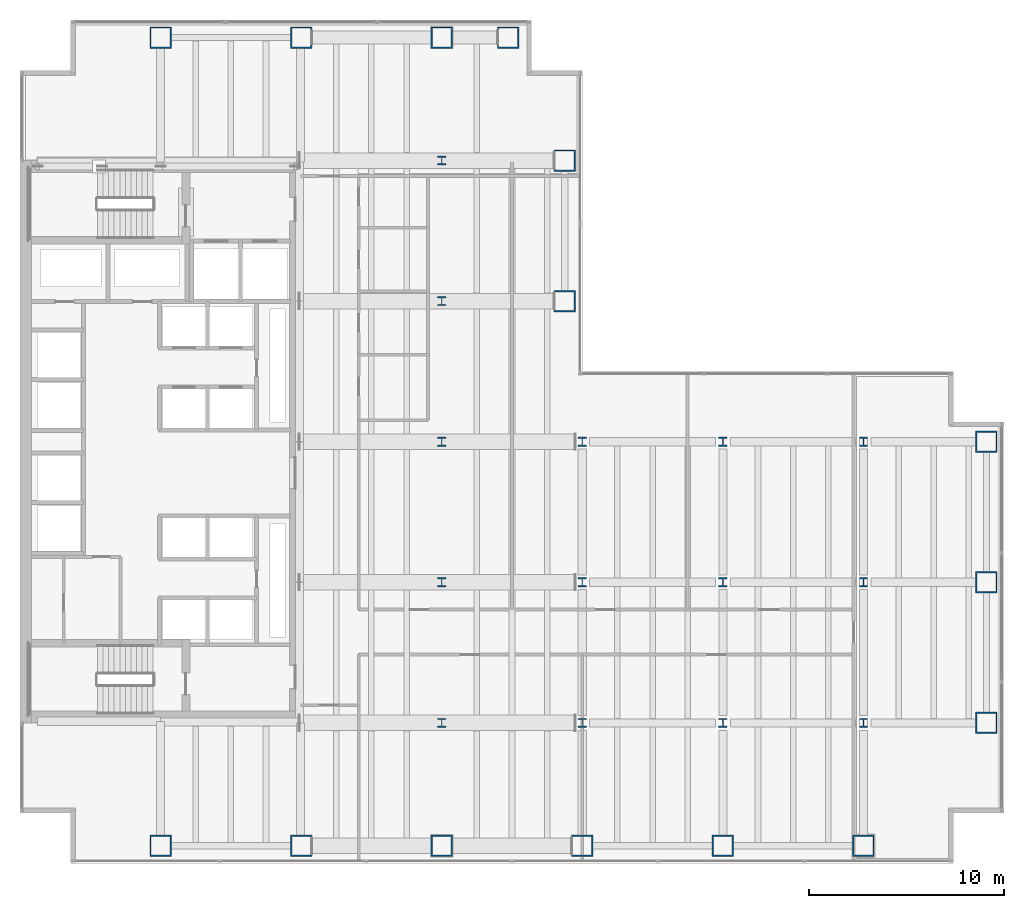
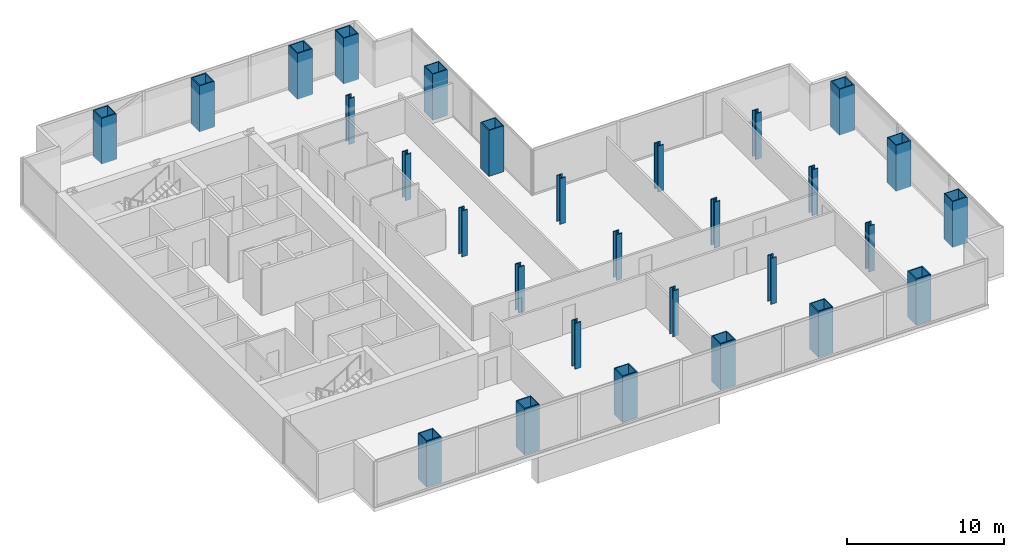
# One storey, part 1 of 24: 29 columns.
"""IFC4 building model written with IfcOpenShell, lengths in metres."""

from ifc_helpers import new_model, si_unit, direction, frame, origin, origin_2d, place, context, subcontext, project, spatial, hollow_rectangle, i_section, extrude, material, material_profile, profile_set, type_object, element, save


model = new_model("IFC4")

# Units and contexts
model_context = context("Model", 3, precision=1e-05, world=origin(), true_north=direction((0.0, 1.0)))
body_context = subcontext(model_context, "Body", "Model", "MODEL_VIEW")
ifc_project = project(units=[si_unit("LENGTHUNIT", "METRE"), si_unit("AREAUNIT", "SQUARE_METRE"), si_unit("VOLUMEUNIT", "CUBIC_METRE"), si_unit("PLANEANGLEUNIT", "RADIAN"), si_unit("MASSUNIT", "GRAM", prefix="KILO")], contexts=[model_context])

# Site, building, storey
site_placement = place(None, origin())
site = spatial("IfcSite", under=ifc_project, at=site_placement, CompositionType="ELEMENT")
building_placement = place(site_placement, origin())
building = spatial("IfcBuilding", under=site, at=building_placement, Name="Cobrela Telecom Tower", CompositionType="ELEMENT")
storey_placement = place(building_placement, frame((0.0, 0.0, 31.14990234375)))
storey = spatial("IfcBuildingStorey", under=building, at=storey_placement, Name="L07", CompositionType="ELEMENT", Elevation=31.14990234375)

# Columns
ifc_material_1 = material(Name="Steel ASTM A992 Grade 50", Category="steel")
ifc_material_profile_1 = material_profile(ifc_material_1, i_section(OverallWidth=0.422119140625, OverallDepth=0.465087890625, WebThickness=0.044921875, FlangeThickness=0.072509765625, FilletRadius=0.01806640625, at=origin_2d()), Name="W14X398")
ifc_profile_set_1 = profile_set([ifc_material_profile_1], Name="Steel ASTM A992 Grade 50")
column_type_1 = type_object("IfcColumnType", Name="COL-INT-04", PredefinedType="COLUMN", material=ifc_profile_set_1)
for number, where, z_axis, x_axis, name in (
    (1, (21.60009765625, 7.199951171875, 0.0), (0.0, 0.0, 1.0), (1.0, 0.0, 0.0), "L07 Interior Column 06"),
    (2, (21.60009765625, 14.39990234375, 0.0), (0.0, 0.0, 1.0), (1.0, 0.0, 0.0), "L07 Interior Column 07"),
    (3, (21.60009765625, 21.60009765625, 0.0), (0.0, 0.0, 1.0), (1.0, 0.0, 0.0), "L07 Interior Column 08"),
    (4, (21.60009765625, 28.800048828125, 0.0), (0.0, 0.0, 1.0), (1.0, 0.0, 0.0), "L07 Interior Column 09"),
    (5, (21.60009765625, 36.0, 0.0), (0.0, 0.0, 1.0), (1.0, 0.0, 0.0), "L07 Interior Column 10"),
    (6, (28.800048828125, 7.199951171875, 0.0), (0.0, 0.0, 1.0), (1.0, 0.0, 0.0), "L07 Interior Column 16"),
    (7, (28.800048828125, 14.39990234375, 0.0), (0.0, 0.0, 1.0), (1.0, 0.0, 0.0), "L07 Interior Column 17"),
    (8, (28.800048828125, 21.60009765625, 0.0), (0.0, 0.0, 1.0), (1.0, 0.0, 0.0), "L07 Interior Column 18"),
    (9, (36.0, 7.199951171875, 0.0), (0.0, 0.0, 1.0), (1.0, 0.0, 0.0), "L07 Interior Column 20"),
    (10, (36.0, 14.39990234375, 0.0), (0.0, 0.0, 1.0), (1.0, 0.0, 0.0), "L07 Interior Column 21"),
    (11, (36.0, 21.60009765625, 0.0), (0.0, 0.0, 1.0), (1.0, 0.0, 0.0), "L07 Interior Column 22"),
    (12, (43.199951171875, 7.199951171875, 0.0), (0.0, 0.0, 1.0), (1.0, 0.0, 0.0), "L07 Interior Column 24"),
    (13, (43.199951171875, 14.39990234375, 0.0), (0.0, 0.0, 1.0), (1.0, 0.0, 0.0), "L07 Interior Column 25"),
    (14, (43.199951171875, 21.60009765625, 0.0), (0.0, 0.0, 1.0), (1.0, 0.0, 0.0), "L07 Interior Column 26"),
):
    element("IfcColumn", number, at=place(storey_placement, frame(where, z_axis=z_axis, x_axis=x_axis)), inside=storey, type_object=column_type_1, Name=name, PredefinedType="COLUMN", context=body_context, shape_type="SweptSolid", body=[
        extrude(i_section(OverallWidth=0.422119140625, OverallDepth=0.465087890625, WebThickness=0.044921875, FlangeThickness=0.072509765625, FilletRadius=0.01806640625, at=origin_2d()), origin(), (0.0, 0.0, 1.0), 3.570068359375),
    ])
ifc_material_2 = material(Name="Steel ASTM A572 Grade 50", Category="steel")
ifc_material_profile_2 = material_profile(ifc_material_2, hollow_rectangle(XDim=1.10009765625, YDim=1.10009765625, WallThickness=0.070068359375, at=origin_2d()), Name="BOX 1100x1100x70")
ifc_profile_set_2 = profile_set([ifc_material_profile_2], Name="Steel ASTM A572 Grade 50")
column_type_2 = type_object("IfcColumnType", Name="COL-MEGA-02", PredefinedType="COLUMN", material=ifc_profile_set_2)
for number, where, z_axis, x_axis, name in (
    (15, (7.199951171875, 0.89990234375, 0.0), (0.0, 0.0, 1.0), (1.0, 0.0, 0.0), "L07 Perimeter Mega-Column 01"),
    (16, (7.199951171875, 42.300048828125, 0.0), (0.0, 0.0, 1.0), (1.0, 0.0, 0.0), "L07 Perimeter Mega-Column 02"),
    (17, (14.39990234375, 0.89990234375, 0.0), (0.0, 0.0, 1.0), (1.0, 0.0, 0.0), "L07 Perimeter Mega-Column 03"),
    (18, (14.39990234375, 42.300048828125, 0.0), (0.0, 0.0, 1.0), (1.0, 0.0, 0.0), "L07 Perimeter Mega-Column 04"),
    (19, (21.60009765625, 0.89990234375, 0.0), (0.0, 0.0, 1.0), (1.0, 0.0, 0.0), "L07 Perimeter Mega-Column 05"),
    (20, (21.60009765625, 42.300048828125, 0.0), (0.0, 0.0, 1.0), (1.0, 0.0, 0.0), "L07 Perimeter Mega-Column 11"),
    (21, (25.0, 42.300048828125, 0.0), (0.0, 0.0, 1.0), (1.0, 0.0, 0.0), "L07 Perimeter Mega-Column 12"),
    (22, (27.89990234375, 28.800048828125, 0.0), (0.0, 0.0, 1.0), (1.0, 0.0, 0.0), "L07 Perimeter Mega-Column 13"),
    (23, (27.89990234375, 36.0, 0.0), (0.0, 0.0, 1.0), (1.0, 0.0, 0.0), "L07 Perimeter Mega-Column 14"),
    (24, (28.800048828125, 0.89990234375, 0.0), (0.0, 0.0, 1.0), (1.0, 0.0, 0.0), "L07 Perimeter Mega-Column 15"),
    (25, (36.0, 0.89990234375, 0.0), (0.0, 0.0, 1.0), (1.0, 0.0, 0.0), "L07 Perimeter Mega-Column 19"),
    (26, (43.199951171875, 0.89990234375, 0.0), (0.0, 0.0, 1.0), (1.0, 0.0, 0.0), "L07 Perimeter Mega-Column 23"),
    (27, (49.5, 7.199951171875, 0.0), (0.0, 0.0, 1.0), (1.0, 0.0, 0.0), "L07 Perimeter Mega-Column 27"),
    (28, (49.5, 14.39990234375, 0.0), (0.0, 0.0, 1.0), (1.0, 0.0, 0.0), "L07 Perimeter Mega-Column 28"),
    (29, (49.5, 21.60009765625, 0.0), (0.0, 0.0, 1.0), (1.0, 0.0, 0.0), "L07 Perimeter Mega-Column 29"),
):
    element("IfcColumn", number, at=place(storey_placement, frame(where, z_axis=z_axis, x_axis=x_axis)), inside=storey, type_object=column_type_2, Name=name, PredefinedType="COLUMN", context=body_context, shape_type="SweptSolid", body=[
        extrude(hollow_rectangle(XDim=1.10009765625, YDim=1.10009765625, WallThickness=0.070068359375, at=origin_2d()), origin(), (0.0, 0.0, 1.0), 3.570068359375),
    ])

save(model, "model.ifc")
